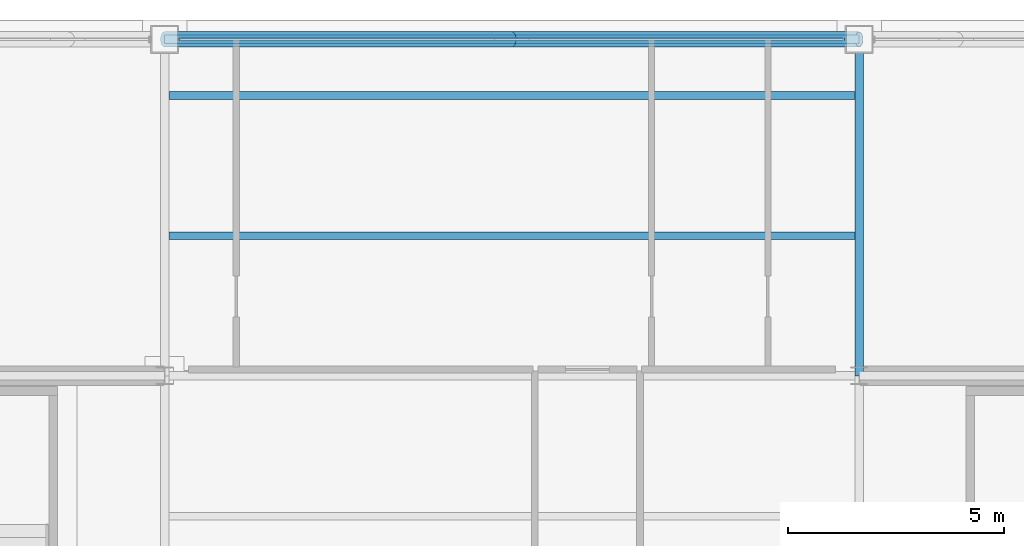
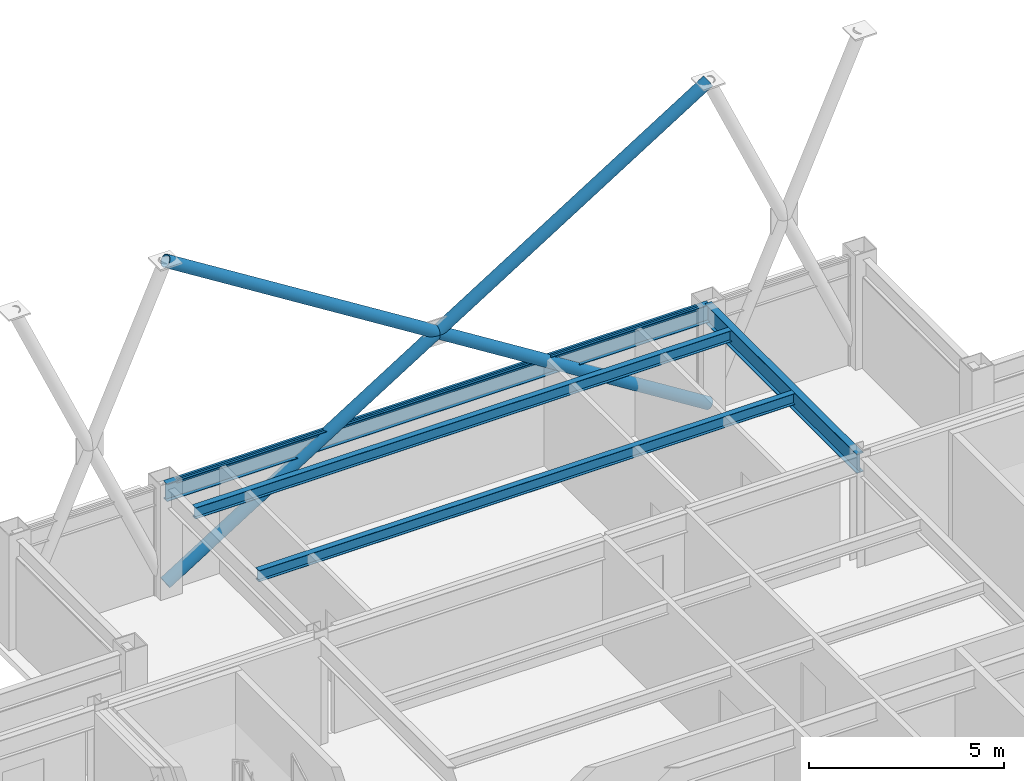
# One storey, part 18 of 26: 4 beams, 4 members, 1 element without a shape of its own.
"""IFC4 building model written with IfcOpenShell, lengths in metres."""

from ifc_helpers import new_model, si_unit, direction, frame, origin, origin_2d, place, context, subcontext, project, spatial, hollow_rectangle, hollow_circle, i_section, extrude, material, layer, layer_set, material_profile, profile_set, type_object, element, aggregate, save


model = new_model("IFC4")

# Units and contexts
model_context = context("Model", 3, precision=1e-05, world=origin(), true_north=direction((0.0, 1.0)))
body_context = subcontext(model_context, "Body", "Model", "MODEL_VIEW")
ifc_project = project(units=[si_unit("LENGTHUNIT", "METRE"), si_unit("AREAUNIT", "SQUARE_METRE"), si_unit("VOLUMEUNIT", "CUBIC_METRE"), si_unit("PLANEANGLEUNIT", "RADIAN"), si_unit("MASSUNIT", "GRAM", prefix="KILO")], contexts=[model_context])

# Site, building, storey
site_placement = place(None, origin())
site = spatial("IfcSite", under=ifc_project, at=site_placement, CompositionType="ELEMENT")
building_placement = place(site_placement, origin())
building = spatial("IfcBuilding", under=site, at=building_placement, Name="Brelmoor Portico Tower", CompositionType="ELEMENT")
storey_placement = place(building_placement, frame((0.0, 0.0, 247.199951171875)))
storey = spatial("IfcBuildingStorey", under=building, at=storey_placement, Name="L65", CompositionType="ELEMENT", Elevation=247.199951171875)

# Beams
ifc_material_1 = material(Name="Steel Q355B", Category="steel")
ifc_material_profile_1 = material_profile(ifc_material_1, i_section(OverallWidth=0.175048828125, OverallDepth=0.35009765625, WebThickness=0.007080078125, FlangeThickness=0.010986328125, at=origin_2d()), Name="HN 350x175x7x11")
ifc_profile_set_1 = profile_set([ifc_material_profile_1], Name="Steel Q355B")
beam_type_1 = type_object("IfcBeamType", Name="BM-JS-350", PredefinedType="JOIST", material=ifc_profile_set_1)
for number, where, z_axis, x_axis, name in (
    (1, (-7.949951171875, 13.0, 3.22509765625), (1.0, 0.0, 0.0), (0.0, 1.0, 0.0), "L65 Secondary Composite Joist JS-C05"),
    (2, (-7.949951171875, 16.25, 3.22509765625), (1.0, 0.0, 0.0), (0.0, 1.0, 0.0), "L65 Secondary Composite Joist JS-C06"),
):
    element("IfcBeam", number, at=place(storey_placement, frame(where, z_axis=z_axis, x_axis=x_axis)), inside=storey, type_object=beam_type_1, Name=name, PredefinedType="JOIST", context=body_context, shape_type="SweptSolid", body=[
        extrude(i_section(OverallWidth=0.175048828125, OverallDepth=0.35009765625, WebThickness=0.007080078125, FlangeThickness=0.010986328125, at=origin_2d()), origin(), (0.0, 0.0, 1.0), 15.89990234375),
    ])
ifc_material_profile_2 = material_profile(ifc_material_1, i_section(OverallWidth=0.199951171875, OverallDepth=0.60009765625, WebThickness=0.010986328125, FlangeThickness=0.01708984375, at=origin_2d()), Name="HN 600x200x11x17")
ifc_profile_set_2 = profile_set([ifc_material_profile_2], Name="Steel Q355B")
beam_type_2 = type_object("IfcBeamType", Name="BM-PG-600", PredefinedType="BEAM", material=ifc_profile_set_2)
beam_1_placement = place(storey_placement, frame((8.050048828125, 9.75, 3.10009765625), z_axis=(0.0, 1.0, 0.0), x_axis=(-1.0, 0.0, 0.0)))
element("IfcBeam", 3, at=beam_1_placement, inside=storey, type_object=beam_type_2, Name="L65 Primary Floor Girder PG-08", PredefinedType="BEAM", context=body_context, shape_type="SweptSolid", body=[
    extrude(i_section(OverallWidth=0.199951171875, OverallDepth=0.60009765625, WebThickness=0.010986328125, FlangeThickness=0.01708984375, at=origin_2d()), origin(), (0.0, 0.0, 1.0), 7.800048828125),
])
ifc_material_profile_3 = material_profile(ifc_material_1, i_section(OverallWidth=0.199951171875, OverallDepth=0.550048828125, WebThickness=0.010009765625, FlangeThickness=0.01611328125, at=origin_2d()), Name="HN 550x200x10x16")
ifc_profile_set_3 = profile_set([ifc_material_profile_3], Name="Steel Q355B")
beam_type_3 = type_object("IfcBeamType", Name="BM-SP-550", PredefinedType="SPANDREL", material=ifc_profile_set_3)
beam_2_placement = place(storey_placement, frame((-8.050048828125, 17.550048828125, 3.125), z_axis=(1.0, 0.0, 0.0), x_axis=(0.0, 1.0, 0.0)))
element("IfcBeam", 4, at=beam_2_placement, inside=storey, type_object=beam_type_3, Name="L65 Perimeter Spandrel Beam SP-09", PredefinedType="SPANDREL", context=body_context, shape_type="SweptSolid", body=[
    extrude(i_section(OverallWidth=0.199951171875, OverallDepth=0.550048828125, WebThickness=0.010009765625, FlangeThickness=0.01611328125, at=origin_2d()), origin(), (0.0, 0.0, 1.0), 16.10009765625),
])

# Members
ifc_material_profile_4 = material_profile(ifc_material_1, hollow_circle(Radius=0.177978515625, WallThickness=0.01611328125, at=origin_2d()), Name="CHS 356x16")
ifc_profile_set_4 = profile_set([ifc_material_profile_4], Name="Steel Q355B")
member_type_1 = type_object("IfcMemberType", Name="MB-BELT-DIAG2", PredefinedType="BRACE", material=ifc_profile_set_4)
member_1_placement = place(storey_placement, frame((-8.050048828125, 17.550048828125, 0.25), z_axis=(0.847109476093, 0.0, 0.531418418493), x_axis=(0.0, 1.0, 0.0)))
element("IfcMember", 5, at=member_1_placement, inside=storey, type_object=member_type_1, Name="L65 Continuous Mega-X Brace 147A", PredefinedType="BRACE", context=body_context, shape_type="SweptSolid", body=[
    extrude(hollow_circle(Radius=0.177978515625, WallThickness=0.01611328125, at=origin_2d()), origin(), (0.0, 0.0, 1.0), 19.005859375),
])
for number, where, z_axis, x_axis, name in (
    (6, (8.050048828125, 17.550048828125, 0.25), (-0.847109476093, 0.0, 0.531418418493), (0.0, -1.0, 0.0), "L65 Split Mega-X Brace 147B1"),
    (7, (0.0, 17.550048828125, 5.300048828125), (-0.847109476093, 0.0, 0.531418418493), (0.0, -1.0, 0.0), "L65 Split Mega-X Brace 147B2"),
):
    element("IfcMember", number, at=place(storey_placement, frame(where, z_axis=z_axis, x_axis=x_axis)), inside=storey, type_object=member_type_1, Name=name, PredefinedType="BRACE", context=body_context, shape_type="SweptSolid", body=[
        extrude(hollow_circle(Radius=0.177978515625, WallThickness=0.01611328125, at=origin_2d()), origin(), (0.0, 0.0, 1.0), 9.5029296875),
    ])

# Curtain wall, member
ifc_material_2 = material(Name="Anodised Aluminium Alloy 6063-T6", Category="aluminium")
ifc_layer = layer(ifc_material_2, 0.179931640625)
ifc_layer_set = layer_set([ifc_layer], Name="Anodised Aluminium Alloy 6063-T6")
curtain_wall_type = type_object("IfcCurtainWallType", Name="CW-TOWER-Z4-XB", PredefinedType="NOTDEFINED", material=ifc_layer_set)
curtain_wall_placement = place(storey_placement, origin())
curtain_wall = element("IfcCurtainWall", 8, at=curtain_wall_placement, inside=storey, type_object=curtain_wall_type, Name="L65 Curtain Wall CW-L65-02-2", PredefinedType="NOTDEFINED")
ifc_material_profile_5 = material_profile(ifc_material_2, hollow_rectangle(XDim=0.06005859375, YDim=0.125, WallThickness=0.00341796875, at=origin_2d()), Name="ALU TRANSOM 60x125")
ifc_profile_set_5 = profile_set([ifc_material_profile_5], Name="Anodised Aluminium Alloy 6063-T6")
member_type_2 = type_object("IfcMemberType", Name="MB-CW-TRAN-125", PredefinedType="USERDEFINED", material=ifc_profile_set_5)
member_2_placement = place(storey_placement, frame((-7.715087890625, 17.550048828125, 3.337646484375), z_axis=(1.0, 0.0, 0.0), x_axis=(0.0, 1.0, 0.0)))
member_2 = element("IfcMember", 9, at=member_2_placement, type_object=member_type_2, Name="CW-L65-02-2 Transom 1-00", ObjectType="TRANSOM", PredefinedType="USERDEFINED", context=body_context, shape_type="SweptSolid", body=[
    extrude(hollow_rectangle(XDim=0.06005859375, YDim=0.125, WallThickness=0.00341796875, at=origin_2d()), origin(), (0.0, 0.0, 1.0), 15.43017578125),
])
aggregate(curtain_wall, [member_2])

save(model, "model.ifc")
